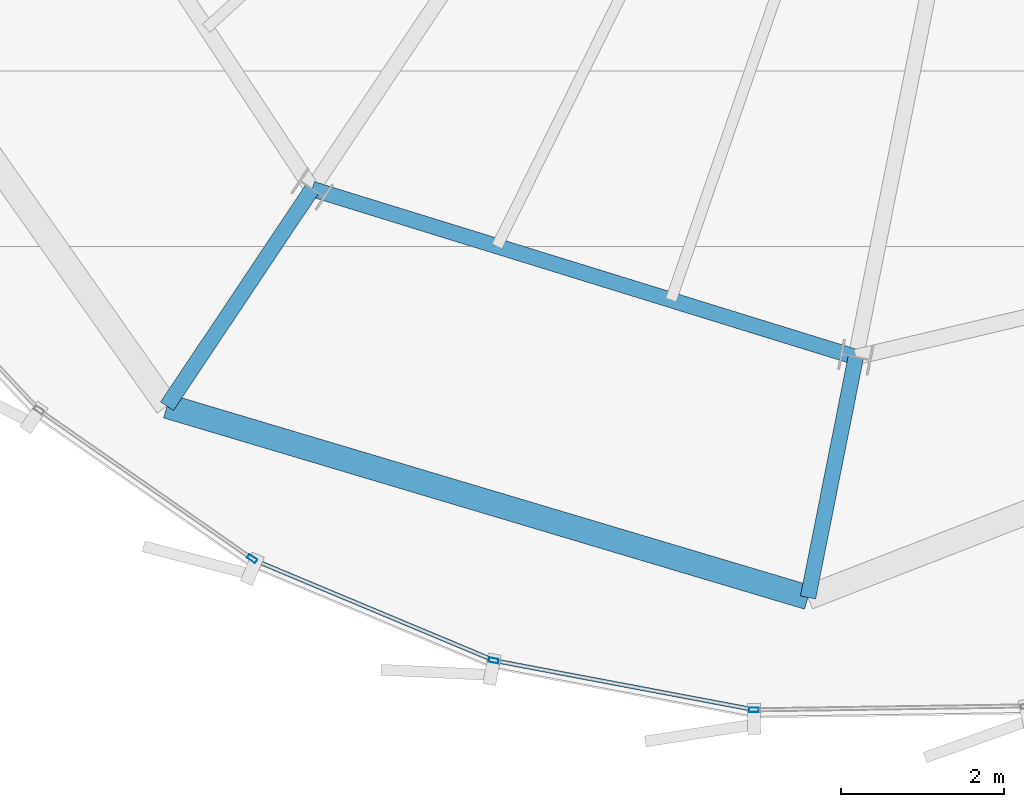
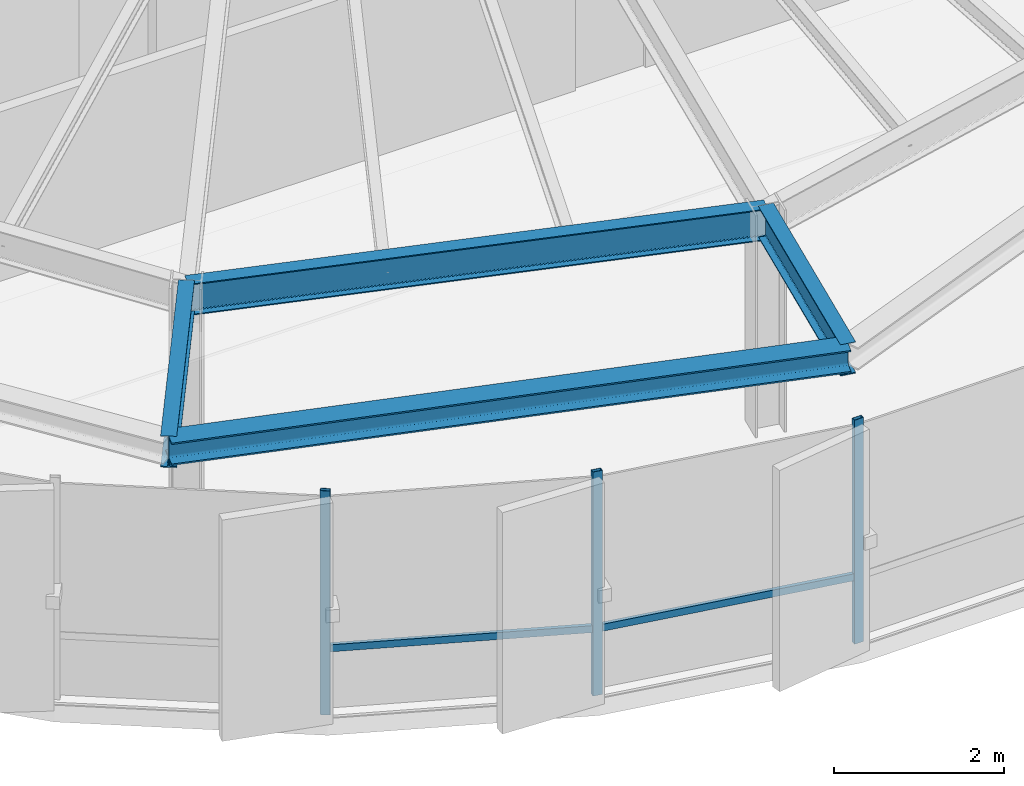
# One storey, part 3 of 32: 5 members, 4 beams, 2 elements without a shape of their own.
"""IFC4 building model written with IfcOpenShell, lengths in metres."""

from ifc_helpers import new_model, si_unit, direction, frame, origin, origin_2d, place, context, subcontext, project, spatial, hollow_rectangle, i_section, extrude, source, transform, mapped, material, layer, layer_set, material_profile, profile_set, type_object, element, aggregate, save


model = new_model("IFC4")

# Units and contexts
model_context = context("Model", 3, precision=1e-05, world=origin(), true_north=direction((0.0, 1.0)))
body_context = subcontext(model_context, "Body", "Model", "MODEL_VIEW")
ifc_project = project(units=[si_unit("LENGTHUNIT", "METRE"), si_unit("AREAUNIT", "SQUARE_METRE"), si_unit("VOLUMEUNIT", "CUBIC_METRE"), si_unit("PLANEANGLEUNIT", "RADIAN"), si_unit("MASSUNIT", "GRAM", prefix="KILO"), si_unit("THERMODYNAMICTEMPERATUREUNIT", "KELVIN")], contexts=[model_context])

# Site, building, storey
site_placement = place(None, origin())
site = spatial("IfcSite", under=ifc_project, at=site_placement, CompositionType="ELEMENT")
building_placement = place(site_placement, origin())
building = spatial("IfcBuilding", under=site, at=building_placement, Name="Kethvar Cultural Tower", CompositionType="ELEMENT")
storey_placement = place(building_placement, frame((0.0, 0.0, 280.14990234375)))
storey = spatial("IfcBuildingStorey", under=building, at=storey_placement, Name="L74", CompositionType="ELEMENT", Elevation=280.14990234375)

# Beams
ifc_material_1 = material(Name="Steel S355J2", Category="steel")
ifc_material_profile_1 = material_profile(ifc_material_1, i_section(OverallWidth=0.18994140625, OverallDepth=0.449951171875, WebThickness=0.009521484375, FlangeThickness=0.0146484375, FilletRadius=0.02099609375, at=origin_2d()), Name="Steel S355J2 — IPE450")
ifc_profile_set_1 = profile_set([ifc_material_profile_1], Name="Steel S355J2 — IPE450")
beam_type_1 = type_object("IfcBeamType", Name="BM-IPE450", PredefinedType="BEAM", material=ifc_profile_set_1)
shared_shape_1 = source(origin(), body_context, "Body", "SweptSolid", [
    extrude(i_section(OverallWidth=0.18994140625, OverallDepth=0.449951171875, WebThickness=0.009521484375, FlangeThickness=0.0146484375, FilletRadius=0.02099609375, at=origin_2d()), origin(), (0.0, 0.0, 1.0), 3.199951171875),
])
beam_1_placement = place(storey_placement, frame((36.731201171875, 12.73095703125, 2.983154296875), z_axis=(-0.555580212716, -0.831462943996, 0.0), x_axis=(0.831462943996, -0.555580212716, 0.0)))
element("IfcBeam", 1, at=beam_1_placement, inside=storey, type_object=beam_type_1, Name="L74 Perimeter Cantilever Beam RC-11", PredefinedType="BEAM", context=body_context, shape_type="MappedRepresentation", body=[
    mapped(shared_shape_1, transform((0.0, 0.0, 0.0), scale=1.0)),
])
shared_shape_2 = source(origin(), body_context, "Body", "SweptSolid", [
    extrude(i_section(OverallWidth=0.18994140625, OverallDepth=0.449951171875, WebThickness=0.009521484375, FlangeThickness=0.0146484375, FilletRadius=0.02099609375, at=origin_2d()), origin(), (0.0, 0.0, 1.0), 6.97265625),
])
beam_2_placement = place(storey_placement, frame((36.731201171875, 12.73095703125, 2.983154296875), z_axis=(0.955381444404, -0.295374839295, 0.0), x_axis=(0.295374839295, 0.955381444404, 0.0)))
element("IfcBeam", 2, at=beam_2_placement, inside=storey, type_object=beam_type_1, Name="L74 Column Ring Tie Beam CR-11", PredefinedType="BEAM", context=body_context, shape_type="MappedRepresentation", body=[
    mapped(shared_shape_2, transform((0.0, 0.0, 0.0), scale=1.0)),
])
shared_shape_3 = source(origin(), body_context, "Body", "SweptSolid", [
    extrude(i_section(OverallWidth=0.18994140625, OverallDepth=0.449951171875, WebThickness=0.009521484375, FlangeThickness=0.0146484375, FilletRadius=0.02099609375, at=origin_2d()), origin(), (0.0, 0.0, 1.0), 3.002197265625),
])
beam_3_placement = place(storey_placement, frame((43.392822265625, 10.67138671875, 2.983154296875), z_axis=(-0.195083902733, -0.980786557256, 0.0), x_axis=(0.980786557256, -0.195083902733, 0.0)))
element("IfcBeam", 3, at=beam_3_placement, inside=storey, type_object=beam_type_1, Name="L74 Perimeter Cantilever Beam RC-12", PredefinedType="BEAM", context=body_context, shape_type="MappedRepresentation", body=[
    mapped(shared_shape_3, transform((0.0, 0.0, 0.0), scale=1.0)),
])
ifc_material_profile_2 = material_profile(ifc_material_1, i_section(OverallWidth=0.300048828125, OverallDepth=0.320068359375, WebThickness=0.011474609375, FlangeThickness=0.0205078125, FilletRadius=0.027099609375, at=origin_2d()), Name="Steel S355J2 — HEB320")
ifc_profile_set_2 = profile_set([ifc_material_profile_2], Name="Steel S355J2 — HEB320")
beam_type_2 = type_object("IfcBeamType", Name="BM-SP320", PredefinedType="SPANDREL", material=ifc_profile_set_2)
shared_shape_4 = source(origin(), body_context, "Body", "SweptSolid", [
    extrude(i_section(OverallWidth=0.300048828125, OverallDepth=0.320068359375, WebThickness=0.011474609375, FlangeThickness=0.0205078125, FilletRadius=0.027099609375, at=origin_2d()), origin(), (0.0, 0.0, 1.0), 8.196044921875),
])
beam_4_placement = place(storey_placement, frame((34.953369140625, 10.0703125, 3.048095703125), z_axis=(0.958249106799, -0.285934694152, 0.0), x_axis=(0.285934694152, 0.958249106799, 0.0)))
element("IfcBeam", 4, at=beam_4_placement, inside=storey, type_object=beam_type_2, Name="L74 Perimeter Spandrel Beam SP-11", PredefinedType="SPANDREL", context=body_context, shape_type="MappedRepresentation", body=[
    mapped(shared_shape_4, transform((0.0, 0.0, 0.0), scale=1.0)),
])

# Curtain wall, member
ifc_material_2 = material(Name="Aluminium 6063-T6", Category="aluminium")
ifc_layer = layer(ifc_material_2, 0.179931640625, Name="Aluminium 6063-T6", Category="aluminium")
ifc_layer_set = layer_set([ifc_layer], Name="Aluminium 6063-T6 (180 mm)")
curtain_wall_type = type_object("IfcCurtainWallType", Name="CW-SYS-05-Z56", PredefinedType="NOTDEFINED", material=ifc_layer_set)
curtain_wall_1_placement = place(storey_placement, origin())
curtain_wall_1 = element("IfcCurtainWall", 5, at=curtain_wall_1_placement, inside=storey, type_object=curtain_wall_type, Name="L74 Curtain Wall Run 03", PredefinedType="NOTDEFINED")
ifc_material_profile_3 = material_profile(ifc_material_2, hollow_rectangle(XDim=0.054931640625, YDim=0.1201171875, WallThickness=0.00390625, at=origin_2d()), Name="Aluminium 6063-T6 — RHS120x55x4")
ifc_profile_set_3 = profile_set([ifc_material_profile_3], Name="Aluminium 6063-T6 — RHS120x55x4")
member_type_1 = type_object("IfcMemberType", Name="CW-SYS-05-Z56-MUL", PredefinedType="MULLION", material=ifc_profile_set_3)
shared_shape_5 = source(origin(), body_context, "Body", "SweptSolid", [
    extrude(hollow_rectangle(XDim=0.054931640625, YDim=0.1201171875, WallThickness=0.00390625, at=origin_2d()), origin(), (0.0, 0.0, 1.0), 3.210205078125),
])
member_1_placement = place(storey_placement, frame((35.996826171875, 8.200927734375, 0.0), z_axis=(0.0, 0.0, 1.0), x_axis=(0.572017037232, 0.820241738219, 0.0)))
member_1 = element("IfcMember", 6, at=member_1_placement, type_object=member_type_1, Name="CW-L74-R03 Mullion 7", PredefinedType="MULLION", context=body_context, shape_type="MappedRepresentation", body=[
    mapped(shared_shape_5, transform((0.0, 0.0, 0.0), scale=1.0)),
])
aggregate(curtain_wall_1, [member_1])

# Curtain wall, members
curtain_wall_2_placement = place(storey_placement, origin())
curtain_wall_2 = element("IfcCurtainWall", 7, at=curtain_wall_2_placement, inside=storey, type_object=curtain_wall_type, Name="L74 Curtain Wall Run 04", PredefinedType="NOTDEFINED")
member_2_placement = place(storey_placement, frame((38.956787109375, 6.9541015625, 0.0), z_axis=(0.0, 0.0, 1.0), x_axis=(0.185683765186, 0.9826095559, 0.0)))
member_2 = element("IfcMember", 8, at=member_2_placement, type_object=member_type_1, Name="CW-L74-R04 Mullion 2", PredefinedType="MULLION", context=body_context, shape_type="MappedRepresentation", body=[
    mapped(shared_shape_5, transform((0.0, 0.0, 0.0), scale=1.0)),
])
member_3_placement = place(storey_placement, frame((42.14453125, 6.349609375, 0.0), z_axis=(0.0, 0.0, 1.0), x_axis=(-0.014538080502, 0.999894316523, 0.0)))
member_3 = element("IfcMember", 9, at=member_3_placement, type_object=member_type_1, Name="CW-L74-R04 Mullion 3", PredefinedType="MULLION", context=body_context, shape_type="MappedRepresentation", body=[
    mapped(shared_shape_5, transform((0.0, 0.0, 0.0), scale=1.0)),
])
ifc_material_profile_4 = material_profile(ifc_material_2, hollow_rectangle(XDim=0.050048828125, YDim=0.10009765625, WallThickness=0.00390625, at=origin_2d()), Name="Aluminium 6063-T6 — RHS100x50x4")
ifc_profile_set_4 = profile_set([ifc_material_profile_4], Name="Aluminium 6063-T6 — RHS100x50x4")
member_type_2 = type_object("IfcMemberType", Name="CW-SYS-05-Z56-TRN", PredefinedType="USERDEFINED", material=ifc_profile_set_4)
shared_shape_6 = source(origin(), body_context, "Body", "SweptSolid", [
    extrude(hollow_rectangle(XDim=0.050048828125, YDim=0.10009765625, WallThickness=0.00390625, at=origin_2d()), origin(), (0.0, 0.0, 1.0), 3.1396484375),
])
member_4_placement = place(storey_placement, frame((36.0439453125, 8.17529296875, 0.9501953125), z_axis=(0.922493799326, -0.386011904228, 0.0), x_axis=(0.386011904228, 0.922493799326, 0.0)))
member_4 = element("IfcMember", 10, at=member_4_placement, type_object=member_type_2, Name="CW-L74-R04 Transom 1", ObjectType="TRANSOM", PredefinedType="USERDEFINED", context=body_context, shape_type="MappedRepresentation", body=[
    mapped(shared_shape_6, transform((0.0, 0.0, 0.0), scale=1.0)),
])
shared_shape_7 = source(origin(), body_context, "Body", "SweptSolid", [
    extrude(hollow_rectangle(XDim=0.050048828125, YDim=0.10009765625, WallThickness=0.00390625, at=origin_2d()), origin(), (0.0, 0.0, 1.0), 3.185546875),
])
member_5_placement = place(storey_placement, frame((38.99560546875, 6.94677734375, 0.9501953125), z_axis=(0.982606547357, -0.185699685223, 0.0), x_axis=(0.185699685223, 0.982606547357, 0.0)))
member_5 = element("IfcMember", 11, at=member_5_placement, type_object=member_type_2, Name="CW-L74-R04 Transom 2", ObjectType="TRANSOM", PredefinedType="USERDEFINED", context=body_context, shape_type="MappedRepresentation", body=[
    mapped(shared_shape_7, transform((0.0, 0.0, 0.0), scale=1.0)),
])
aggregate(curtain_wall_2, [member_2, member_3, member_4, member_5])

save(model, "model.ifc")
